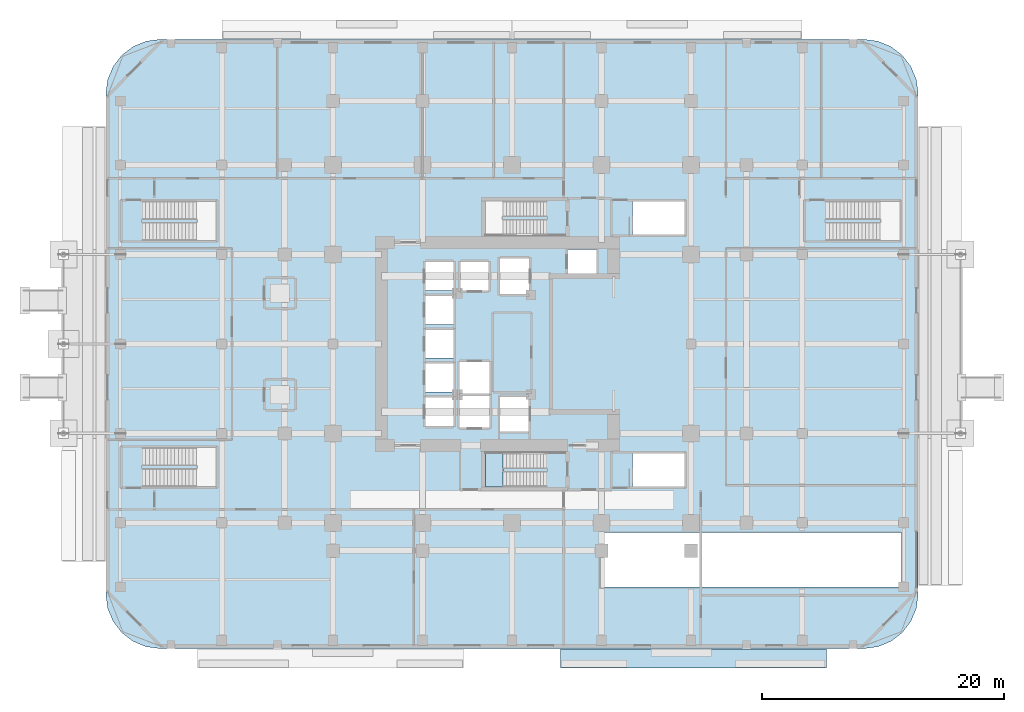
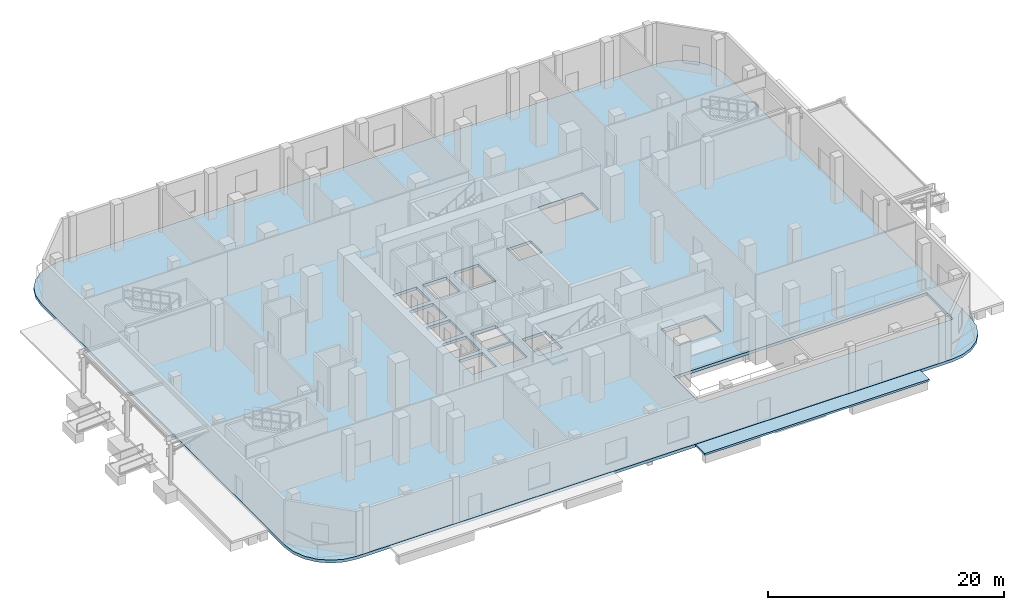
# One storey, part 10 of 24: 3 slabs, 1 element without a shape of its own.
"""IFC4 building model written with IfcOpenShell, lengths in metres."""

from ifc_helpers import new_model, si_unit, direction, frame, origin, place, context, subcontext, project, spatial, polyline, outline, extrude, material, layer, layer_set, type_object, element, aggregate, save


model = new_model("IFC4")

# Units and contexts
model_context = context("Model", 3, precision=1e-05, world=origin(), true_north=direction((0.0, 1.0)))
body_context = subcontext(model_context, "Body", "Model", "MODEL_VIEW")
ifc_project = project(units=[si_unit("LENGTHUNIT", "METRE"), si_unit("AREAUNIT", "SQUARE_METRE"), si_unit("VOLUMEUNIT", "CUBIC_METRE"), si_unit("PLANEANGLEUNIT", "RADIAN"), si_unit("MASSUNIT", "GRAM", prefix="KILO")], contexts=[model_context])

# Site, building, storey
site_placement = place(None, origin())
site = spatial("IfcSite", under=ifc_project, at=site_placement, CompositionType="ELEMENT")
building_placement = place(site_placement, origin())
building = spatial("IfcBuilding", under=site, at=building_placement, Name="Khorvyn Point Tower", CompositionType="ELEMENT")
storey_placement = place(building_placement, origin())
storey = spatial("IfcBuildingStorey", under=building, at=storey_placement, Name="L01", CompositionType="ELEMENT", Elevation=0.0)

# Stair, slab
ifc_material_1 = material(Name="Concrete C40/50", Category="concrete")
stair_type = type_object("IfcStairType", Name="Tower Concrete C40/50 Dogleg Exit Stair", PredefinedType="HALF_TURN_STAIR", material=ifc_material_1)
stair_placement = place(storey_placement, origin())
stair = element("IfcStair", 1, at=stair_placement, inside=storey, type_object=stair_type, Name="L01 Tower Smokeproof Exit Stair South", PredefinedType="HALF_TURN_STAIR")
ifc_layer_1 = layer(ifc_material_1, 0.199951171875)
ifc_layer_set_1 = layer_set([ifc_layer_1], Name="Concrete C40/50 Stair Landing Slab 200")
slab_type_1 = type_object("IfcSlabType", Name="Concrete C40/50 Stair Landing Slab 200", PredefinedType="LANDING", material=ifc_layer_set_1)
slab_1_placement = place(storey_placement, frame((0.0, 0.0, 2.199951171875)))
slab_1 = element("IfcSlab", 2, at=slab_1_placement, type_object=slab_type_1, Name="ST-01 landing 1", PredefinedType="LANDING", context=body_context, shape_type="SweptSolid", body=[
    extrude(outline(polyline([(-0.739990234375, -9.02001953125), (-2.199951171875, -9.02001953125), (-2.199951171875, -11.820068359375), (-0.739990234375, -11.820068359375), (-0.739990234375, -9.02001953125)])), origin(), (0.0, 0.0, 1.0), 0.199951171875),
])
aggregate(stair, [slab_1])

# Slabs
ifc_layer_2 = layer(ifc_material_1, 0.300048828125)
ifc_layer_set_2 = layer_set([ifc_layer_2], Name="Concrete C40/50 Structural Floor Slab 300")
slab_type_2 = type_object("IfcSlabType", Name="Concrete C40/50 Structural Floor Slab 300", PredefinedType="FLOOR", material=ifc_layer_set_2)
slab_2_placement = place(storey_placement, frame((0.0, 0.0, -0.300048828125)))
element("IfcSlab", 3, at=slab_2_placement, inside=storey, type_object=slab_type_2, Name="L01 Main Structural Floor Slab", PredefinedType="FLOOR", context=body_context, shape_type="SweptSolid", body=[
    extrude(outline(polyline([(-29.10009765625, -25.199951171875), (-30.2646484375, -25.046630859375), (-31.35009765625, -24.59716796875), (-32.281982421875, -23.882080078125), (-32.9970703125, -22.949951171875), (-33.44677734375, -21.86474609375), (-33.60009765625, -20.699951171875), (-33.60009765625, 20.699951171875), (-33.44677734375, 21.86474609375), (-32.9970703125, 22.949951171875), (-32.281982421875, 23.882080078125), (-31.35009765625, 24.59716796875), (-30.2646484375, 25.046630859375), (-29.10009765625, 25.199951171875), (29.10009765625, 25.199951171875), (30.2646484375, 25.046630859375), (31.35009765625, 24.59716796875), (32.281982421875, 23.882080078125), (32.9970703125, 22.949951171875), (33.44677734375, 21.86474609375), (33.60009765625, 20.699951171875), (33.60009765625, -20.699951171875), (33.44677734375, -21.86474609375), (32.9970703125, -22.949951171875), (32.281982421875, -23.882080078125), (31.35009765625, -24.59716796875), (30.2646484375, -25.046630859375), (29.10009765625, -25.199951171875), (-29.10009765625, -25.199951171875)]), holes=[polyline([(-4.824951171875, -6.77490234375), (-4.824951171875, -4.425048828125), (-7.175048828125, -4.425048828125), (-7.175048828125, -6.77490234375), (-4.824951171875, -6.77490234375)]), polyline([(-4.324951171875, -6.89990234375), (-1.875, -6.89990234375), (-1.875, -4.300048828125), (-4.324951171875, -4.300048828125), (-4.324951171875, -6.89990234375)]), polyline([(-7.175048828125, -3.97509765625), (-4.824951171875, -3.97509765625), (-4.824951171875, -1.625), (-7.175048828125, -1.625), (-7.175048828125, -3.97509765625)]), polyline([(-7.175048828125, -1.175048828125), (-4.824951171875, -1.175048828125), (-4.824951171875, 1.175048828125), (-7.175048828125, 1.175048828125), (-7.175048828125, -1.175048828125)]), polyline([(-7.175048828125, 1.625), (-4.824951171875, 1.625), (-4.824951171875, 3.97509765625), (-7.175048828125, 3.97509765625), (-7.175048828125, 1.625)]), polyline([(-7.175048828125, 4.425048828125), (-4.824951171875, 4.425048828125), (-4.824951171875, 6.77490234375), (-7.175048828125, 6.77490234375), (-7.175048828125, 4.425048828125)]), polyline([(-4.27490234375, 4.425048828125), (-1.925048828125, 4.425048828125), (-1.925048828125, 6.77490234375), (-4.27490234375, 6.77490234375), (-4.27490234375, 4.425048828125)]), polyline([(32.219970703125, -20.10009765625), (32.219970703125, -15.60009765625), (7.39990234375, -15.60009765625), (7.39990234375, -20.10009765625), (32.219970703125, -20.10009765625)]), polyline([(9.969970703125, -11.820068359375), (14.300048828125, -11.820068359375), (14.300048828125, -9.02001953125), (9.969970703125, -9.02001953125), (9.969970703125, -11.820068359375)]), polyline([(-0.97509765625, -7.22509765625), (1.375, -7.22509765625), (1.375, -4.375), (-0.97509765625, -4.375), (-0.97509765625, -7.22509765625)]), polyline([(-4.324951171875, -4.10009765625), (-1.875, -4.10009765625), (-1.875, -1.5), (-4.324951171875, -1.5), (-4.324951171875, -4.10009765625)]), polyline([(-1.0, 4.125), (1.39990234375, 4.125), (1.39990234375, 7.074951171875), (-1.0, 7.074951171875), (-1.0, 4.125)]), polyline([(4.625, 5.85009765625), (6.97509765625, 5.85009765625), (6.97509765625, 7.830078125), (4.625, 7.830078125), (4.625, 5.85009765625)]), polyline([(9.969970703125, 9.02001953125), (14.300048828125, 9.02001953125), (14.300048828125, 11.820068359375), (9.969970703125, 11.820068359375), (9.969970703125, 9.02001953125)])]), origin(), (0.0, 0.0, 1.0), 0.300048828125),
])
ifc_material_2 = material(Name="Precast concrete C35/45", Category="concrete")
ifc_layer_3 = layer(ifc_material_2, 0.199951171875)
ifc_layer_set_3 = layer_set([ifc_layer_3], Name="Precast Concrete C35/45 Forecourt Paving Slab 200")
slab_type_3 = type_object("IfcSlabType", Name="Precast Concrete C35/45 Forecourt Paving Slab 200", PredefinedType="USERDEFINED", material=ifc_layer_set_3)
slab_3_placement = place(storey_placement, frame((0.0, 0.0, -0.199951171875)))
element("IfcSlab", 4, at=slab_3_placement, inside=storey, type_object=slab_type_3, Name="L01 South Fire Appliance Staging Paving East", ObjectType="PAVING", PredefinedType="USERDEFINED", context=body_context, shape_type="SweptSolid", body=[
    extrude(outline(polyline([(4.0, -26.800048828125), (26.0, -26.800048828125), (26.0, -25.219970703125), (4.0, -25.219970703125), (4.0, -26.800048828125)])), origin(), (0.0, 0.0, 1.0), 0.199951171875),
])

save(model, "model.ifc")
